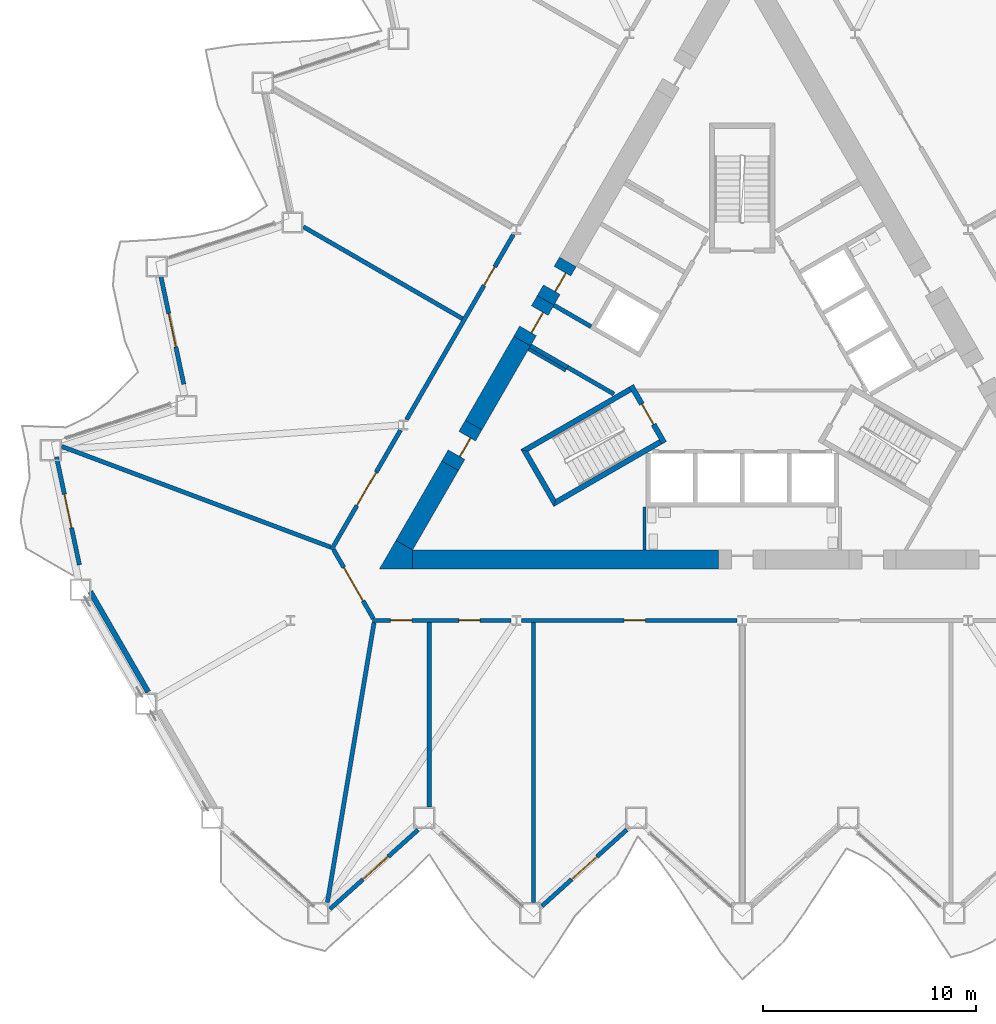
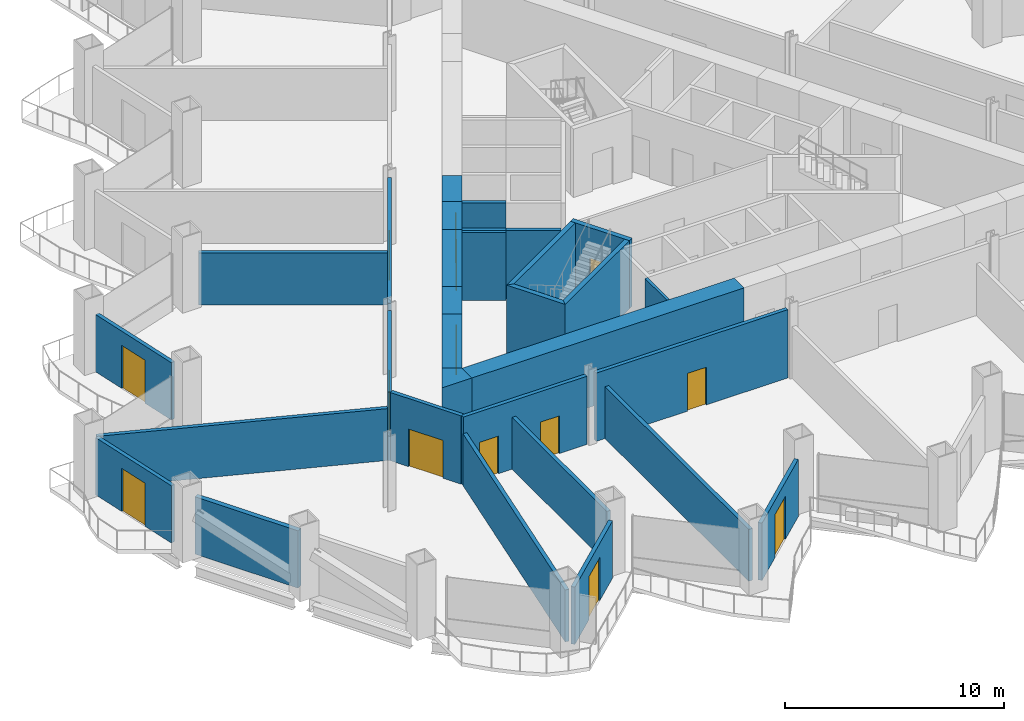
# One storey, part 9 of 20: 31 walls, 14 doors, 14 openings.
"""IFC4 building model written with IfcOpenShell, lengths in metres."""

from ifc_helpers import new_model, si_unit, direction, frame, frame_2d, origin, place, context, subcontext, project, spatial, polyline, rectangle, outline, extrude, material, layer, layer_set, type_object, element, fill, save


model = new_model("IFC4")

# Units and contexts
model_context = context("Model", 3, precision=1e-05, world=origin(), true_north=direction((0.0, 1.0)))
body_context = subcontext(model_context, "Body", "Model", "MODEL_VIEW")
ifc_project = project(units=[si_unit("LENGTHUNIT", "METRE"), si_unit("AREAUNIT", "SQUARE_METRE"), si_unit("VOLUMEUNIT", "CUBIC_METRE"), si_unit("PLANEANGLEUNIT", "RADIAN"), si_unit("MASSUNIT", "GRAM", prefix="KILO")], contexts=[model_context])

# Site, building, storey
site_placement = place(None, origin())
site = spatial("IfcSite", under=ifc_project, at=site_placement, CompositionType="ELEMENT")
building_placement = place(site_placement, origin())
building = spatial("IfcBuilding", under=site, at=building_placement, Name="Cormorant Prow Tower", CompositionType="ELEMENT")
storey_placement = place(building_placement, frame((0.0, 0.0, 63.60009765625)))
storey = spatial("IfcBuildingStorey", under=building, at=storey_placement, Name="L13", CompositionType="ELEMENT", Elevation=63.60009765625)

# Walls
ifc_material_1 = material(Name="Gypsum board partition")
ifc_layer_1 = layer(ifc_material_1, 0.14990234375)
ifc_layer_set_1 = layer_set([ifc_layer_1], Name="Gypsum board partition")
wall_type_1 = type_object("IfcWallType", Name="Core partition 150", PredefinedType="PARTITIONING", material=ifc_layer_set_1)
wall_1_placement = place(storey_placement, frame((-4.574951171875, -6.906005859375, 0.0), z_axis=(0.0, 0.0, 1.0), x_axis=(0.0, -1.0, 0.0)))
element("IfcWall", 1, at=wall_1_placement, inside=storey, type_object=wall_type_1, Name="Service room partition", PredefinedType="PARTITIONING", context=body_context, shape_type="SweptSolid", body=[
    extrude(rectangle(XDim=2.009033203125, YDim=0.14990234375, at=frame_2d((1.00439453125, 0.0))), origin(), (0.0, 0.0, 1.0), 3.7998046875),
])
wall_2_placement = place(storey_placement, frame((-8.268310546875, -0.509033203125, 0.0), z_axis=(0.0, 0.0, 1.0), x_axis=(-0.866035824272, 0.499981950752, 0.0)))
element("IfcWall", 2, at=wall_2_placement, inside=storey, type_object=wall_type_1, Name="Service room partition", PredefinedType="PARTITIONING", context=body_context, shape_type="SweptSolid", body=[
    extrude(rectangle(XDim=2.0087890625, YDim=0.14990234375, at=frame_2d((1.00439453125, 0.0))), origin(), (0.0, 0.0, 1.0), 3.7998046875),
])
ifc_material_2 = material(Name="Concrete 8000 psi", Category="concrete")
ifc_layer_2 = layer(ifc_material_2, 0.89990234375)
ifc_layer_set_2 = layer_set([ifc_layer_2], Name="Concrete 8000 psi")
wall_type_2 = type_object("IfcWallType", Name="Core shear wall 900", PredefinedType="SHEAR", material=ifc_layer_set_2)
wall_3_placement = place(storey_placement, frame((-15.441162109375, -9.364990234375, 0.0), z_axis=(0.0, 0.0, 1.0), x_axis=(1.0, 0.0, 0.0)))
element("IfcWall", 3, at=wall_3_placement, inside=storey, type_object=wall_type_2, Name="Core wall", PredefinedType="SHEAR", context=body_context, shape_type="SweptSolid", body=[
    extrude(rectangle(XDim=14.341064453125, YDim=0.89990234375, at=frame_2d((7.17041015625, 0.0))), origin(), (0.0, 0.0, 1.0), 3.7998046875),
])
wall_4_placement = place(storey_placement, frame((-10.310302734375, 0.8720703125, 0.0), z_axis=(0.0, 0.0, 1.0), x_axis=(-0.499968858743, -0.866043382451, 0.0)))
element("IfcWall", 4, at=wall_4_placement, inside=storey, type_object=wall_type_2, Name="Core wall", PredefinedType="SHEAR", context=body_context, shape_type="SweptSolid", body=[
    extrude(rectangle(XDim=4.545654296875, YDim=0.89990234375, at=frame_2d((2.27294921875, 0.0))), origin(), (0.0, 0.0, 1.0), 3.7998046875),
])
wall_5_placement = place(storey_placement, frame((-13.68310546875, -4.969970703125, 0.0), z_axis=(0.0, 0.0, 1.0), x_axis=(-0.499996331799, -0.866027521611, 0.0)))
element("IfcWall", 5, at=wall_5_placement, inside=storey, type_object=wall_type_2, Name="Core wall", PredefinedType="SHEAR", context=body_context, shape_type="SweptSolid", body=[
    extrude(rectangle(XDim=4.29541015625, YDim=0.89990234375, at=frame_2d((2.147705078125, 0.0))), origin(), (0.0, 0.0, 1.0), 3.7998046875),
])
wall_6_placement = place(storey_placement, origin())
element("IfcWall", 6, at=wall_6_placement, inside=storey, type_object=wall_type_2, Name="Core wall corner", PredefinedType="SHEAR", context=body_context, shape_type="SweptSolid", body=[
    extrude(outline(polyline([(-16.220703125, -8.465087890625), (-15.441162109375, -8.9150390625), (-15.441162109375, -9.81494140625), (-17.0, -9.81494140625), (-16.220703125, -8.465087890625)])), origin(), (0.0, 0.0, 1.0), 3.7998046875),
])

# Wall, opening, door
wall_7_placement = place(storey_placement, frame((-12.5830078125, -3.064697265625, 0.0), z_axis=(0.0, 0.0, 1.0), x_axis=(-0.50002983664, -0.866008176907, 0.0)))
wall_7 = element("IfcWall", 7, at=wall_7_placement, inside=storey, type_object=wall_type_2, Name="Core wall door panel", PredefinedType="SHEAR", context=body_context, shape_type="SweptSolid", body=[
    extrude(rectangle(XDim=2.199951171875, YDim=0.89990234375, at=frame_2d((1.10009765625, 0.0))), origin(), (0.0, 0.0, 1.0), 3.7998046875),
])
opening_1_placement = place(wall_7_placement, frame((0.60009765625, 0.0, 0.0)))
opening_1 = element("IfcOpeningElement", 8, at=opening_1_placement, cuts=wall_7, Name="Opening L13-C16", PredefinedType="OPENING", context=body_context, shape_type="SweptSolid", body=[
    extrude(rectangle(XDim=1.0, YDim=2.10009765625, at=frame_2d((0.5, 1.050048828125))), frame((0.0, 0.4599609375, 0.0), z_axis=(0.0, -1.0, 0.0), x_axis=(1.0, 0.0, 0.0)), (0.0, 0.0, 1.0), 0.919921875),
])
ifc_material_3 = material(Name="Painted steel", Category="steel")
door_type_1 = type_object("IfcDoorType", Name="Service door 1000x2100", OperationType="NOTDEFINED", PredefinedType="DOOR", material=ifc_material_3)
door_1_placement = place(opening_1_placement, origin())
door_1 = element("IfcDoor", 9, at=door_1_placement, inside=storey, type_object=door_type_1, Name="Core door, Telecom room", OperationType="SINGLE_SWING_RIGHT", OverallHeight=2.10009765625, OverallWidth=1.0, PredefinedType="DOOR", context=body_context, shape_type="SweptSolid", body=[
    extrude(rectangle(XDim=1.0, YDim=2.10009765625, at=frame_2d((0.5, 1.050048828125))), frame((0.0, 0.205078125, 0.0), z_axis=(0.0, -1.0, 0.0), x_axis=(1.0, 0.0, 0.0)), (0.0, 0.0, 1.0), 0.050048828125),
])
fill(opening_1, door_1)

wall_8_placement = place(storey_placement, frame((-8.17041015625, 4.57861328125, 0.0), z_axis=(0.0, 0.0, 1.0), x_axis=(-0.499888406853, -0.866089822532, 0.0)))
wall_8 = element("IfcWall", 10, at=wall_8_placement, inside=storey, type_object=wall_type_2, Name="Core wall door panel", PredefinedType="SHEAR", context=body_context, shape_type="SweptSolid", body=[
    extrude(rectangle(XDim=2.080078125, YDim=0.89990234375, at=frame_2d((1.0400390625, 0.0))), origin(), (0.0, 0.0, 1.0), 3.7998046875),
])
opening_2_placement = place(wall_8_placement, frame((0.5, 0.0, 0.0)))
opening_2 = element("IfcOpeningElement", 11, at=opening_2_placement, cuts=wall_8, Name="Opening L13-C19", PredefinedType="OPENING", context=body_context, shape_type="SweptSolid", body=[
    extrude(rectangle(XDim=1.0, YDim=2.10009765625, at=frame_2d((0.5, 1.050048828125))), frame((0.0, 0.4599609375, 0.0), z_axis=(0.0, -1.0, 0.0), x_axis=(1.0, 0.0, 0.0)), (0.0, 0.0, 1.0), 0.919921875),
])
door_2_placement = place(opening_2_placement, origin())
door_2 = element("IfcDoor", 12, at=door_2_placement, inside=storey, type_object=door_type_1, Name="Core door, Electrical room", OperationType="SINGLE_SWING_LEFT", OverallHeight=2.10009765625, OverallWidth=1.0, PredefinedType="DOOR", context=body_context, shape_type="SweptSolid", body=[
    extrude(rectangle(XDim=1.0, YDim=2.10009765625, at=frame_2d((0.5, 1.050048828125))), frame((0.0, 0.205078125, 0.0), z_axis=(0.0, -1.0, 0.0), x_axis=(1.0, 0.0, 0.0)), (0.0, 0.0, 1.0), 0.050048828125),
])
fill(opening_2, door_2)

wall_9_placement = place(storey_placement, frame((-9.210205078125, 2.777099609375, 0.0), z_axis=(0.0, 0.0, 1.0), x_axis=(-0.500077893725, -0.86598042715, 0.0)))
wall_9 = element("IfcWall", 13, at=wall_9_placement, inside=storey, type_object=wall_type_2, Name="Core wall door panel", PredefinedType="SHEAR", context=body_context, shape_type="SweptSolid", body=[
    extrude(rectangle(XDim=2.199951171875, YDim=0.89990234375, at=frame_2d((1.10009765625, 0.0))), origin(), (0.0, 0.0, 1.0), 3.7998046875),
])
opening_3_placement = place(wall_9_placement, frame((0.550048828125, 0.0, 0.0)))
opening_3 = element("IfcOpeningElement", 14, at=opening_3_placement, cuts=wall_9, Name="Opening L13-C23", PredefinedType="OPENING", context=body_context, shape_type="SweptSolid", body=[
    extrude(rectangle(XDim=1.10009765625, YDim=2.10009765625, at=frame_2d((0.550048828125, 1.050048828125))), frame((0.0, 0.4599609375, 0.0), z_axis=(0.0, -1.0, 0.0), x_axis=(1.0, 0.0, 0.0)), (0.0, 0.0, 1.0), 0.919921875),
])
ifc_material_4 = material(Name="Painted steel", Category="steel")
door_type_2 = type_object("IfcDoorType", Name="Core door 1100x2100", OperationType="NOTDEFINED", PredefinedType="DOOR", material=ifc_material_4)
door_3_placement = place(opening_3_placement, origin())
door_3 = element("IfcDoor", 15, at=door_3_placement, inside=storey, type_object=door_type_2, Name="Core door, lift lobby", OperationType="SINGLE_SWING_RIGHT", OverallHeight=2.10009765625, OverallWidth=1.10009765625, PredefinedType="DOOR", context=body_context, shape_type="SweptSolid", body=[
    extrude(rectangle(XDim=1.10009765625, YDim=2.10009765625, at=frame_2d((0.550048828125, 1.050048828125))), frame((0.0, 0.205078125, 0.0), z_axis=(0.0, -1.0, 0.0), x_axis=(1.0, 0.0, 0.0)), (0.0, 0.0, 1.0), 0.050048828125),
])
fill(opening_3, door_3)

ifc_material_5 = material(Name="Gypsum board corridor wall")
ifc_layer_3 = layer(ifc_material_5, 0.199951171875)
ifc_layer_set_3 = layer_set([ifc_layer_3], Name="Gypsum board corridor wall")
wall_type_3 = type_object("IfcWallType", Name="Corridor wall 200", PredefinedType="PARTITIONING", material=ifc_layer_set_3)
wall_10_placement = place(storey_placement, frame((-10.336181640625, -12.215087890625, 0.0), z_axis=(0.0, 0.0, 1.0), x_axis=(1.0, 0.0, 0.0)))
wall_10 = element("IfcWall", 16, at=wall_10_placement, inside=storey, type_object=wall_type_3, Name="Corridor wall", PredefinedType="PARTITIONING", context=body_context, shape_type="SweptSolid", body=[
    extrude(rectangle(XDim=10.093994140625, YDim=0.199951171875, at=frame_2d((5.046875, 0.0))), origin(), (0.0, 0.0, 1.0), 3.7998046875),
])
opening_4_placement = place(wall_10_placement, frame((4.7998046875, 0.0, 0.0)))
opening_4 = element("IfcOpeningElement", 17, at=opening_4_placement, cuts=wall_10, Name="Opening L13-F03", PredefinedType="OPENING", context=body_context, shape_type="SweptSolid", body=[
    extrude(rectangle(XDim=1.0, YDim=2.10009765625, at=frame_2d((0.5, 1.050048828125))), frame((0.0, 0.10986328125, 0.0), z_axis=(0.0, -1.0, 0.0), x_axis=(1.0, 0.0, 0.0)), (0.0, 0.0, 1.0), 0.219970703125),
])
ifc_material_6 = material(Name="Timber door leaf", Category="wood")
door_type_3 = type_object("IfcDoorType", Name="Office door 1000x2100", OperationType="NOTDEFINED", PredefinedType="DOOR", material=ifc_material_6)
door_4_placement = place(opening_4_placement, origin())
door_4 = element("IfcDoor", 18, at=door_4_placement, inside=storey, type_object=door_type_3, Name="Tenant suite door", OperationType="SINGLE_SWING_RIGHT", OverallHeight=2.10009765625, OverallWidth=1.0, PredefinedType="DOOR", context=body_context, shape_type="SweptSolid", body=[
    extrude(rectangle(XDim=1.0, YDim=2.10009765625, at=frame_2d((0.5, 1.050048828125))), frame((0.0, 0.02490234375, 0.0), z_axis=(0.0, -1.0, 0.0), x_axis=(1.0, 0.0, 0.0)), (0.0, 0.0, 1.0), 0.050048828125),
])
fill(opening_4, door_4)

wall_11_placement = place(storey_placement, frame((-15.727783203125, -2.811279296875, 0.0), z_axis=(0.0, 0.0, 1.0), x_axis=(0.49999175339, 0.866030164915, 0.0)))
wall_11 = element("IfcWall", 19, at=wall_11_placement, inside=storey, type_object=wall_type_3, Name="Corridor wall", PredefinedType="PARTITIONING", context=body_context, shape_type="SweptSolid", body=[
    extrude(rectangle(XDim=10.018798828125, YDim=0.199951171875, at=frame_2d((5.00927734375, 0.0))), origin(), (0.0, 0.0, 1.0), 3.7998046875),
])
opening_5_placement = place(wall_11_placement, frame((7.265625, 0.0, 0.0)))
opening_5 = element("IfcOpeningElement", 20, at=opening_5_placement, cuts=wall_11, Name="Opening L13-F13", PredefinedType="OPENING", context=body_context, shape_type="SweptSolid", body=[
    extrude(rectangle(XDim=1.0, YDim=2.10009765625, at=frame_2d((0.5, 1.050048828125))), frame((0.0, 0.10986328125, 0.0), z_axis=(0.0, -1.0, 0.0), x_axis=(1.0, 0.0, 0.0)), (0.0, 0.0, 1.0), 0.219970703125),
])
door_5_placement = place(opening_5_placement, origin())
door_5 = element("IfcDoor", 21, at=door_5_placement, inside=storey, type_object=door_type_3, Name="Private office door", OperationType="SINGLE_SWING_RIGHT", OverallHeight=2.10009765625, OverallWidth=1.0, PredefinedType="DOOR", context=body_context, shape_type="SweptSolid", body=[
    extrude(rectangle(XDim=1.0, YDim=2.10009765625, at=frame_2d((0.5, 1.050048828125))), frame((0.0, 0.02490234375, 0.0), z_axis=(0.0, -1.0, 0.0), x_axis=(1.0, 0.0, 0.0)), (0.0, 0.0, 1.0), 0.050048828125),
])
fill(opening_5, door_5)

# Wall, openings, doors
wall_12_placement = place(storey_placement, frame((-17.330810546875, -12.215087890625, 0.0), z_axis=(0.0, 0.0, 1.0), x_axis=(1.0, 0.0, 0.0)))
wall_12 = element("IfcWall", 22, at=wall_12_placement, inside=storey, type_object=wall_type_3, Name="Corridor wall", PredefinedType="PARTITIONING", context=body_context, shape_type="SweptSolid", body=[
    extrude(rectangle(XDim=6.510009765625, YDim=0.199951171875, at=frame_2d((3.2548828125, 0.0))), origin(), (0.0, 0.0, 1.0), 3.7998046875),
])
opening_6_placement = place(wall_12_placement, frame((0.851318359375, 0.0, 0.0)))
opening_6 = element("IfcOpeningElement", 23, at=opening_6_placement, cuts=wall_12, Name="Opening L13-F01", PredefinedType="OPENING", context=body_context, shape_type="SweptSolid", body=[
    extrude(rectangle(XDim=1.0, YDim=2.10009765625, at=frame_2d((0.5, 1.050048828125))), frame((0.0, 0.10986328125, 0.0), z_axis=(0.0, -1.0, 0.0), x_axis=(1.0, 0.0, 0.0)), (0.0, 0.0, 1.0), 0.219970703125),
])
opening_7_placement = place(wall_12_placement, frame((4.0576171875, 0.0, 0.0)))
opening_7 = element("IfcOpeningElement", 24, at=opening_7_placement, cuts=wall_12, Name="Opening L13-F02", PredefinedType="OPENING", context=body_context, shape_type="SweptSolid", body=[
    extrude(rectangle(XDim=1.0, YDim=2.10009765625, at=frame_2d((0.5, 1.050048828125))), frame((0.0, 0.10986328125, 0.0), z_axis=(0.0, -1.0, 0.0), x_axis=(1.0, 0.0, 0.0)), (0.0, 0.0, 1.0), 0.219970703125),
])
door_6_placement = place(opening_6_placement, origin())
door_6 = element("IfcDoor", 25, at=door_6_placement, inside=storey, type_object=door_type_3, Name="Private office door", OperationType="SINGLE_SWING_LEFT", OverallHeight=2.10009765625, OverallWidth=1.0, PredefinedType="DOOR", context=body_context, shape_type="SweptSolid", body=[
    extrude(rectangle(XDim=1.0, YDim=2.10009765625, at=frame_2d((0.5, 1.050048828125))), frame((0.0, 0.02490234375, 0.0), z_axis=(0.0, -1.0, 0.0), x_axis=(1.0, 0.0, 0.0)), (0.0, 0.0, 1.0), 0.050048828125),
])
fill(opening_6, door_6)
door_7_placement = place(opening_7_placement, origin())
door_7 = element("IfcDoor", 26, at=door_7_placement, inside=storey, type_object=door_type_3, Name="Private office door", OperationType="SINGLE_SWING_RIGHT", OverallHeight=2.10009765625, OverallWidth=1.0, PredefinedType="DOOR", context=body_context, shape_type="SweptSolid", body=[
    extrude(rectangle(XDim=1.0, YDim=2.10009765625, at=frame_2d((0.5, 1.050048828125))), frame((0.0, 0.02490234375, 0.0), z_axis=(0.0, -1.0, 0.0), x_axis=(1.0, 0.0, 0.0)), (0.0, 0.0, 1.0), 0.050048828125),
])
fill(opening_7, door_7)

# Wall, opening, door
wall_13_placement = place(storey_placement, frame((-19.243896484375, -8.901611328125, 0.0), z_axis=(0.0, 0.0, 1.0), x_axis=(0.499984737558, 0.86603421538, 0.0)))
wall_13 = element("IfcWall", 27, at=wall_13_placement, inside=storey, type_object=wall_type_3, Name="Corridor wall", PredefinedType="PARTITIONING", context=body_context, shape_type="SweptSolid", body=[
    extrude(rectangle(XDim=6.472900390625, YDim=0.199951171875, at=frame_2d((3.236328125, 0.0))), origin(), (0.0, 0.0, 1.0), 3.7998046875),
])
opening_8_placement = place(wall_13_placement, frame((2.38720703125, 0.0, 0.0)))
opening_8 = element("IfcOpeningElement", 28, at=opening_8_placement, cuts=wall_13, Name="Opening L13-F14", PredefinedType="OPENING", context=body_context, shape_type="SweptSolid", body=[
    extrude(rectangle(XDim=1.800048828125, YDim=2.10009765625, at=frame_2d((0.89990234375, 1.050048828125))), frame((0.0, 0.10986328125, 0.0), z_axis=(0.0, -1.0, 0.0), x_axis=(1.0, 0.0, 0.0)), (0.0, 0.0, 1.0), 0.219970703125),
])
ifc_material_7 = material(Name="Timber door leaf", Category="wood")
door_type_4 = type_object("IfcDoorType", Name="Double door 1800x2100", OperationType="DOUBLE_DOOR_SINGLE_SWING", PredefinedType="DOOR", material=ifc_material_7)
door_8_placement = place(opening_8_placement, origin())
door_8 = element("IfcDoor", 29, at=door_8_placement, inside=storey, type_object=door_type_4, Name="Trading room door", OperationType="DOUBLE_DOOR_SINGLE_SWING", OverallHeight=2.10009765625, OverallWidth=1.800048828125, PredefinedType="DOOR", context=body_context, shape_type="SweptSolid", body=[
    extrude(rectangle(XDim=1.800048828125, YDim=2.10009765625, at=frame_2d((0.89990234375, 1.050048828125))), frame((0.0, 0.02490234375, 0.0), z_axis=(0.0, -1.0, 0.0), x_axis=(1.0, 0.0, 0.0)), (0.0, 0.0, 1.0), 0.050048828125),
])
fill(opening_8, door_8)

wall_14_placement = place(storey_placement, frame((-19.143798828125, -8.901611328125, 0.0), z_axis=(0.0, 0.0, 1.0), x_axis=(0.499958791762, -0.866049194065, 0.0)))
wall_14 = element("IfcWall", 30, at=wall_14_placement, inside=storey, type_object=wall_type_3, Name="Corridor wall", PredefinedType="PARTITIONING", context=body_context, shape_type="SweptSolid", body=[
    extrude(rectangle(XDim=3.725830078125, YDim=0.199951171875, at=frame_2d((1.86279296875, 0.0))), origin(), (0.0, 0.0, 1.0), 3.7998046875),
])
opening_9_placement = place(wall_14_placement, frame((0.962890625, 0.0, 0.0)))
opening_9 = element("IfcOpeningElement", 31, at=opening_9_placement, cuts=wall_14, Name="Opening L13-F15", PredefinedType="OPENING", context=body_context, shape_type="SweptSolid", body=[
    extrude(rectangle(XDim=1.800048828125, YDim=2.10009765625, at=frame_2d((0.89990234375, 1.050048828125))), frame((0.0, 0.10986328125, 0.0), z_axis=(0.0, -1.0, 0.0), x_axis=(1.0, 0.0, 0.0)), (0.0, 0.0, 1.0), 0.219970703125),
])
door_9_placement = place(opening_9_placement, origin())
door_9 = element("IfcDoor", 32, at=door_9_placement, inside=storey, type_object=door_type_4, Name="Trading room door", OperationType="DOUBLE_DOOR_SINGLE_SWING", OverallHeight=2.10009765625, OverallWidth=1.800048828125, PredefinedType="DOOR", context=body_context, shape_type="SweptSolid", body=[
    extrude(rectangle(XDim=1.800048828125, YDim=2.10009765625, at=frame_2d((0.89990234375, 1.050048828125))), frame((0.0, 0.02490234375, 0.0), z_axis=(0.0, -1.0, 0.0), x_axis=(1.0, 0.0, 0.0)), (0.0, 0.0, 1.0), 0.050048828125),
])
fill(opening_9, door_9)

# Walls
ifc_material_8 = material(Name="Gypsum board demising wall")
ifc_layer_4 = layer(ifc_material_8, 0.199951171875)
ifc_layer_set_4 = layer_set([ifc_layer_4], Name="Gypsum board demising wall")
wall_type_4 = type_object("IfcWallType", Name="Demising wall 200", PredefinedType="PARTITIONING", material=ifc_layer_set_4)
wall_15_placement = place(storey_placement, frame((-31.87939453125, -4.0625, 0.0), z_axis=(0.0, 0.0, 1.0), x_axis=(0.93644254502, -0.350820979814, 0.0)))
element("IfcWall", 33, at=wall_15_placement, inside=storey, type_object=wall_type_4, Name="Demising wall", PredefinedType="PARTITIONING", context=body_context, shape_type="SweptSolid", body=[
    extrude(rectangle(XDim=13.446533203125, YDim=0.199951171875, at=frame_2d((6.72314453125, 0.0))), origin(), (0.0, 0.0, 1.0), 2.88525390625),
])
wall_16_placement = place(storey_placement, frame((-19.431884765625, -25.42138671875, 0.0), z_axis=(0.0, 0.0, 1.0), x_axis=(0.164396008001, 0.986394420378, 0.0)))
element("IfcWall", 34, at=wall_16_placement, inside=storey, type_object=wall_type_4, Name="Demising wall", PredefinedType="PARTITIONING", context=body_context, shape_type="SweptSolid", body=[
    extrude(rectangle(XDim=13.28857421875, YDim=0.199951171875, at=frame_2d((6.644287109375, 0.0))), origin(), (0.0, 0.0, 1.0), 2.88525390625),
])
wall_17_placement = place(storey_placement, frame((-9.775390625, -25.42138671875, 0.0), z_axis=(0.0, 0.0, 1.0), x_axis=(0.0, 1.0, 0.0)))
element("IfcWall", 35, at=wall_17_placement, inside=storey, type_object=wall_type_4, Name="Demising wall", PredefinedType="PARTITIONING", context=body_context, shape_type="SweptSolid", body=[
    extrude(rectangle(XDim=13.1064453125, YDim=0.199951171875, at=frame_2d((6.55322265625, 0.0))), origin(), (0.0, 0.0, 1.0), 2.88525390625),
])
wall_18_placement = place(storey_placement, frame((-14.663330078125, -20.949951171875, 0.0), z_axis=(0.0, 0.0, 1.0), x_axis=(0.0, 1.0, 0.0)))
element("IfcWall", 36, at=wall_18_placement, inside=storey, type_object=wall_type_4, Name="Demising wall", PredefinedType="PARTITIONING", context=body_context, shape_type="SweptSolid", body=[
    extrude(rectangle(XDim=8.635009765625, YDim=0.199951171875, at=frame_2d((4.3173828125, 0.0))), origin(), (0.0, 0.0, 1.0), 2.88525390625),
])
wall_19_placement = place(storey_placement, frame((-20.557861328125, 6.22509765625, 0.0), z_axis=(0.0, 0.0, 1.0), x_axis=(0.866031967744, -0.499988630717, 0.0)))
element("IfcWall", 37, at=wall_19_placement, inside=storey, type_object=wall_type_4, Name="Demising wall", PredefinedType="PARTITIONING", context=body_context, shape_type="SweptSolid", body=[
    extrude(rectangle(XDim=8.601318359375, YDim=0.199951171875, at=frame_2d((4.30078125, 0.0))), origin(), (0.0, 0.0, 1.0), 2.88525390625),
])
ifc_material_9 = material(Name="Concrete 8000 psi", Category="concrete")
ifc_layer_5 = layer(ifc_material_9, 0.199951171875)
ifc_layer_set_5 = layer_set([ifc_layer_5], Name="Concrete 8000 psi")
wall_type_5 = type_object("IfcWallType", Name="Lift shaft wall 200", PredefinedType="SHEAR", material=ifc_layer_set_5)
wall_20_placement = place(storey_placement, origin())
element("IfcWall", 38, at=wall_20_placement, inside=storey, type_object=wall_type_5, Name="Lift shaft walls, WNW block", PredefinedType="SHEAR", context=body_context, shape_type="SweptSolid", body=[
    extrude(outline(polyline([(-6.060546875, -1.697021484375), (-8.230712890625, -0.444091796875), (-8.130859375, -0.27099609375), (-5.96044921875, -1.52392578125), (-6.060546875, -1.697021484375)])), origin(), (0.0, 0.0, 1.0), 3.7998046875),
])
wall_21_placement = place(storey_placement, frame((-7.080810546875, 1.547607421875, 0.0), z_axis=(0.0, 0.0, 1.0), x_axis=(-0.865983199114, 0.50007309351, 0.0)))
element("IfcWall", 39, at=wall_21_placement, inside=storey, type_object=wall_type_5, Name="Lobby passage wall", PredefinedType="SHEAR", context=body_context, shape_type="SweptSolid", body=[
    extrude(rectangle(XDim=2.009033203125, YDim=0.199951171875, at=frame_2d((1.00439453125, 0.0))), origin(), (0.0, 0.0, 1.0), 3.7998046875),
])
wall_22_placement = place(storey_placement, frame((-8.180908203125, -0.357421875, 0.0), z_axis=(0.0, 0.0, 1.0), x_axis=(-0.866035824272, 0.499981950752, 0.0)))
element("IfcWall", 40, at=wall_22_placement, inside=storey, type_object=wall_type_5, Name="Lobby passage wall", PredefinedType="SHEAR", context=body_context, shape_type="SweptSolid", body=[
    extrude(rectangle(XDim=2.0087890625, YDim=0.199951171875, at=frame_2d((1.00439453125, 0.0))), origin(), (0.0, 0.0, 1.0), 3.7998046875),
])
ifc_material_10 = material(Name="Concrete 8000 psi", Category="concrete")
ifc_layer_6 = layer(ifc_material_10, 0.25)
ifc_layer_set_6 = layer_set([ifc_layer_6], Name="Concrete 8000 psi")
wall_type_6 = type_object("IfcWallType", Name="Stair wall 250", PredefinedType="SHEAR", material=ifc_layer_set_6)
wall_23_placement = place(storey_placement, origin())
element("IfcWall", 41, at=wall_23_placement, inside=storey, type_object=wall_type_6, Name="Stair ST1 enclosure wall (flank)", PredefinedType="SHEAR", context=body_context, shape_type="SweptSolid", body=[
    extrude(outline(polyline([(-5.30712890625, -1.28125), (-10.37353515625, -4.206298828125), (-10.031982421875, -4.2978515625), (-5.18212890625, -1.497802734375), (-5.30712890625, -1.28125)])), origin(), (0.0, 0.0, 1.0), 3.7998046875),
])
wall_24_placement = place(storey_placement, origin())
element("IfcWall", 42, at=wall_24_placement, inside=storey, type_object=wall_type_6, Name="Stair ST1 enclosure wall (end)", PredefinedType="SHEAR", context=body_context, shape_type="SweptSolid", body=[
    extrude(outline(polyline([(-10.37353515625, -4.206298828125), (-8.82958984375, -6.880615234375), (-8.738037109375, -6.5390625), (-10.031982421875, -4.2978515625), (-10.37353515625, -4.206298828125)])), origin(), (0.0, 0.0, 1.0), 3.7998046875),
])
wall_25_placement = place(storey_placement, origin())
element("IfcWall", 43, at=wall_25_placement, inside=storey, type_object=wall_type_6, Name="Stair ST1 enclosure wall (flank)", PredefinedType="SHEAR", context=body_context, shape_type="SweptSolid", body=[
    extrude(outline(polyline([(-8.738037109375, -6.5390625), (-8.82958984375, -6.880615234375), (-3.76318359375, -3.95556640625), (-3.88818359375, -3.739013671875), (-8.738037109375, -6.5390625)])), origin(), (0.0, 0.0, 1.0), 3.7998046875),
])

# Wall, opening, door
wall_26_placement = place(storey_placement, frame((-5.198974609375, -1.21875, 0.0), z_axis=(0.0, 0.0, 1.0), x_axis=(0.499982516597, -0.866035497597, 0.0)))
wall_26 = element("IfcWall", 44, at=wall_26_placement, inside=storey, type_object=wall_type_6, Name="Stair ST1 door wall", PredefinedType="SHEAR", context=body_context, shape_type="SweptSolid", body=[
    extrude(rectangle(XDim=3.087890625, YDim=0.25, at=frame_2d((1.5439453125, 0.0))), origin(), (0.0, 0.0, 1.0), 3.7998046875),
])
opening_10_placement = place(wall_26_placement, frame((0.993896484375, 0.0, 0.0)))
opening_10 = element("IfcOpeningElement", 45, at=opening_10_placement, cuts=wall_26, Name="Opening L13-C12", PredefinedType="OPENING", context=body_context, shape_type="SweptSolid", body=[
    extrude(rectangle(XDim=1.10009765625, YDim=2.10009765625, at=frame_2d((0.550048828125, 1.050048828125))), frame((0.0, 0.135009765625, 0.0), z_axis=(0.0, -1.0, 0.0), x_axis=(1.0, 0.0, 0.0)), (0.0, 0.0, 1.0), 0.27001953125),
])
ifc_material_11 = material(Name="Painted steel", Category="steel")
door_type_5 = type_object("IfcDoorType", Name="Stair door 1100x2100", OperationType="NOTDEFINED", PredefinedType="DOOR", material=ifc_material_11)
door_10_placement = place(opening_10_placement, origin())
door_10 = element("IfcDoor", 46, at=door_10_placement, inside=storey, type_object=door_type_5, Name="Stair ST1 door", OperationType="SINGLE_SWING_LEFT", OverallHeight=2.10009765625, OverallWidth=1.10009765625, PredefinedType="DOOR", context=body_context, shape_type="SweptSolid", body=[
    extrude(rectangle(XDim=1.10009765625, YDim=2.10009765625, at=frame_2d((0.550048828125, 1.050048828125))), frame((0.0, 0.02490234375, 0.0), z_axis=(0.0, -1.0, 0.0), x_axis=(1.0, 0.0, 0.0)), (0.0, 0.0, 1.0), 0.050048828125),
])
fill(opening_10, door_10)

# Wall
ifc_material_12 = material(Name="Terracotta", Category="masonry")
ifc_layer_7 = layer(ifc_material_12, 0.25)
ifc_layer_set_7 = layer_set([ifc_layer_7], Name="Terracotta")
wall_type_7 = type_object("IfcWallType", Name="Terracotta bay wall 250", PredefinedType="SOLIDWALL", material=ifc_layer_set_7)
wall_27_placement = place(storey_placement, frame((-30.540283203125, -10.867919921875, 0.0), z_axis=(0.0, 0.0, 1.0), x_axis=(0.499991204533, -0.86603048179, 0.0)))
element("IfcWall", 47, at=wall_27_placement, inside=storey, type_object=wall_type_7, Name="Terracotta bay wall WSW00", PredefinedType="SOLIDWALL", context=body_context, shape_type="SweptSolid", body=[
    extrude(rectangle(XDim=5.42578125, YDim=0.25, at=frame_2d((2.712890625, 0.0))), origin(), (0.0, 0.0, 1.0), 3.188720703125),
])

# Wall, opening, door
ifc_material_13 = material(Name="Terracotta", Category="masonry")
ifc_layer_8 = layer(ifc_material_13, 0.199951171875)
ifc_layer_set_8 = layer_set([ifc_layer_8], Name="Terracotta")
wall_type_8 = type_object("IfcWallType", Name="Terracotta jamb wall 200", PredefinedType="SOLIDWALL", material=ifc_layer_set_8)
wall_28_placement = place(storey_placement, frame((-19.310791015625, -25.73583984375, 0.0), z_axis=(0.0, 0.0, 1.0), x_axis=(0.743147692621, 0.66912742206, 0.0)))
wall_28 = element("IfcWall", 48, at=wall_28_placement, inside=storey, type_object=wall_type_8, Name="Terracotta jamb wall S01", PredefinedType="SOLIDWALL", context=body_context, shape_type="SweptSolid", body=[
    extrude(rectangle(XDim=5.554443359375, YDim=0.199951171875, at=frame_2d((2.77734375, 0.0))), origin(), (0.0, 0.0, 1.0), 3.188720703125),
])
opening_11_placement = place(wall_28_placement, frame((2.0751953125, 0.0, 0.0)))
opening_11 = element("IfcOpeningElement", 49, at=opening_11_placement, cuts=wall_28, Name="Opening ED13.01", PredefinedType="OPENING", context=body_context, shape_type="SweptSolid", body=[
    extrude(rectangle(XDim=1.60009765625, YDim=2.39990234375, at=frame_2d((0.800048828125, 1.199951171875))), frame((0.0, 0.10986328125, 0.0), z_axis=(0.0, -1.0, 0.0), x_axis=(1.0, 0.0, 0.0)), (0.0, 0.0, 1.0), 0.219970703125),
])
ifc_material_14 = material(Name="Aluminium 6063-T6", Category="aluminium")
door_type_6 = type_object("IfcDoorType", Name="Balcony door 1600x2400", OperationType="DOUBLE_DOOR_SINGLE_SWING", PredefinedType="DOOR", material=ifc_material_14)
door_11_placement = place(opening_11_placement, origin())
door_11 = element("IfcDoor", 50, at=door_11_placement, inside=storey, type_object=door_type_6, Name="Balcony door S01 ED13.01", OperationType="DOUBLE_DOOR_SINGLE_SWING", OverallHeight=2.39990234375, OverallWidth=1.60009765625, PredefinedType="DOOR", context=body_context, shape_type="SweptSolid", body=[
    extrude(rectangle(XDim=1.60009765625, YDim=2.39990234375, at=frame_2d((0.800048828125, 1.199951171875))), frame((0.0, 0.02490234375, 0.0), z_axis=(0.0, -1.0, 0.0), x_axis=(1.0, 0.0, 0.0)), (0.0, 0.0, 1.0), 0.050048828125),
])
fill(opening_11, door_11)

wall_29_placement = place(storey_placement, frame((-9.378662109375, -25.594970703125, 0.0), z_axis=(0.0, 0.0, 1.0), x_axis=(0.743144193556, 0.669131308178, 0.0)))
wall_29 = element("IfcWall", 51, at=wall_29_placement, inside=storey, type_object=wall_type_8, Name="Terracotta jamb wall S03", PredefinedType="SOLIDWALL", context=body_context, shape_type="SweptSolid", body=[
    extrude(rectangle(XDim=5.34375, YDim=0.199951171875, at=frame_2d((2.671875, 0.0))), origin(), (0.0, 0.0, 1.0), 3.188720703125),
])
opening_12_placement = place(wall_29_placement, frame((1.864501953125, 0.0, 0.0)))
opening_12 = element("IfcOpeningElement", 52, at=opening_12_placement, cuts=wall_29, Name="Opening ED13.02", PredefinedType="OPENING", context=body_context, shape_type="SweptSolid", body=[
    extrude(rectangle(XDim=1.60009765625, YDim=2.39990234375, at=frame_2d((0.800048828125, 1.199951171875))), frame((0.0, 0.10986328125, 0.0), z_axis=(0.0, -1.0, 0.0), x_axis=(1.0, 0.0, 0.0)), (0.0, 0.0, 1.0), 0.219970703125),
])
door_12_placement = place(opening_12_placement, origin())
door_12 = element("IfcDoor", 53, at=door_12_placement, inside=storey, type_object=door_type_6, Name="Balcony door S03 ED13.02", OperationType="DOUBLE_DOOR_SINGLE_SWING", OverallHeight=2.39990234375, OverallWidth=1.60009765625, PredefinedType="DOOR", context=body_context, shape_type="SweptSolid", body=[
    extrude(rectangle(XDim=1.60009765625, YDim=2.39990234375, at=frame_2d((0.800048828125, 1.199951171875))), frame((0.0, 0.02490234375, 0.0), z_axis=(0.0, -1.0, 0.0), x_axis=(1.0, 0.0, 0.0)), (0.0, 0.0, 1.0), 0.050048828125),
])
fill(opening_12, door_12)

wall_30_placement = place(storey_placement, frame((-27.235595703125, 3.91064453125, 0.0), z_axis=(0.0, 0.0, 1.0), x_axis=(0.207877954287, -0.978154771047, 0.0)))
wall_30 = element("IfcWall", 54, at=wall_30_placement, inside=storey, type_object=wall_type_8, Name="Terracotta jamb wall WNW07", PredefinedType="SOLIDWALL", context=body_context, shape_type="SweptSolid", body=[
    extrude(rectangle(XDim=5.171142578125, YDim=0.199951171875, at=frame_2d((2.58544921875, 0.0))), origin(), (0.0, 0.0, 1.0), 3.188720703125),
])
opening_13_placement = place(wall_30_placement, frame((1.78564453125, 0.0, 0.0)))
opening_13 = element("IfcOpeningElement", 55, at=opening_13_placement, cuts=wall_30, Name="Opening ED13.14", PredefinedType="OPENING", context=body_context, shape_type="SweptSolid", body=[
    extrude(rectangle(XDim=1.60009765625, YDim=2.39990234375, at=frame_2d((0.800048828125, 1.199951171875))), frame((0.0, 0.10986328125, 0.0), z_axis=(0.0, -1.0, 0.0), x_axis=(1.0, 0.0, 0.0)), (0.0, 0.0, 1.0), 0.219970703125),
])
door_13_placement = place(opening_13_placement, origin())
door_13 = element("IfcDoor", 56, at=door_13_placement, inside=storey, type_object=door_type_6, Name="Balcony door WNW07 ED13.14", OperationType="DOUBLE_DOOR_SINGLE_SWING", OverallHeight=2.39990234375, OverallWidth=1.60009765625, PredefinedType="DOOR", context=body_context, shape_type="SweptSolid", body=[
    extrude(rectangle(XDim=1.60009765625, YDim=2.39990234375, at=frame_2d((0.800048828125, 1.199951171875))), frame((0.0, 0.02490234375, 0.0), z_axis=(0.0, -1.0, 0.0), x_axis=(1.0, 0.0, 0.0)), (0.0, 0.0, 1.0), 0.050048828125),
])
fill(opening_13, door_13)

wall_31_placement = place(storey_placement, frame((-32.12353515625, -4.55517578125, 0.0), z_axis=(0.0, 0.0, 1.0), x_axis=(0.207923126203, -0.978145169998, 0.0)))
wall_31 = element("IfcWall", 57, at=wall_31_placement, inside=storey, type_object=wall_type_8, Name="Terracotta jamb wall WNW09", PredefinedType="SOLIDWALL", context=body_context, shape_type="SweptSolid", body=[
    extrude(rectangle(XDim=5.171142578125, YDim=0.199951171875, at=frame_2d((2.58544921875, 0.0))), origin(), (0.0, 0.0, 1.0), 3.188720703125),
])
opening_14_placement = place(wall_31_placement, frame((1.78564453125, 0.0, 0.0)))
opening_14 = element("IfcOpeningElement", 58, at=opening_14_placement, cuts=wall_31, Name="Opening ED13.15", PredefinedType="OPENING", context=body_context, shape_type="SweptSolid", body=[
    extrude(rectangle(XDim=1.60009765625, YDim=2.39990234375, at=frame_2d((0.800048828125, 1.199951171875))), frame((0.0, 0.10986328125, 0.0), z_axis=(0.0, -1.0, 0.0), x_axis=(1.0, 0.0, 0.0)), (0.0, 0.0, 1.0), 0.219970703125),
])
door_14_placement = place(opening_14_placement, origin())
door_14 = element("IfcDoor", 59, at=door_14_placement, inside=storey, type_object=door_type_6, Name="Balcony door WNW09 ED13.15", OperationType="DOUBLE_DOOR_SINGLE_SWING", OverallHeight=2.39990234375, OverallWidth=1.60009765625, PredefinedType="DOOR", context=body_context, shape_type="SweptSolid", body=[
    extrude(rectangle(XDim=1.60009765625, YDim=2.39990234375, at=frame_2d((0.800048828125, 1.199951171875))), frame((0.0, 0.02490234375, 0.0), z_axis=(0.0, -1.0, 0.0), x_axis=(1.0, 0.0, 0.0)), (0.0, 0.0, 1.0), 0.050048828125),
])
fill(opening_14, door_14)

save(model, "model.ifc")
